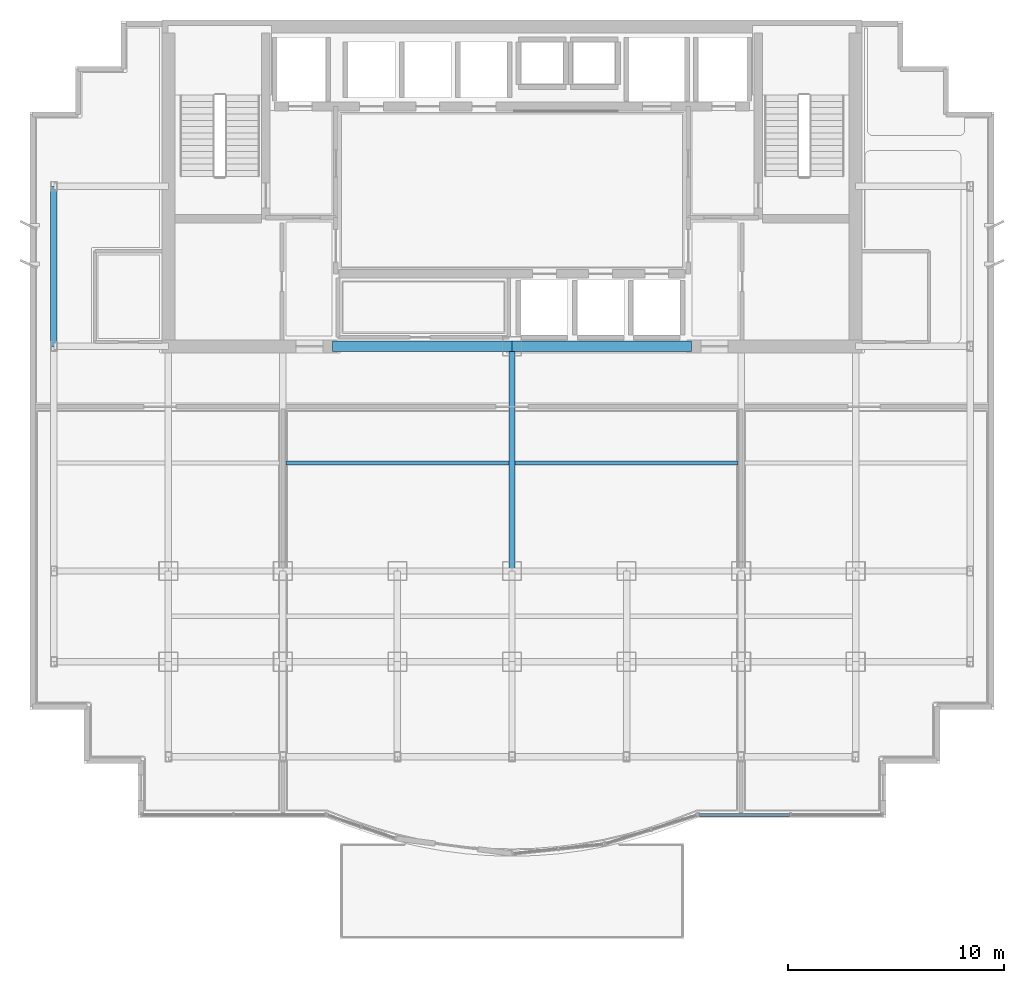
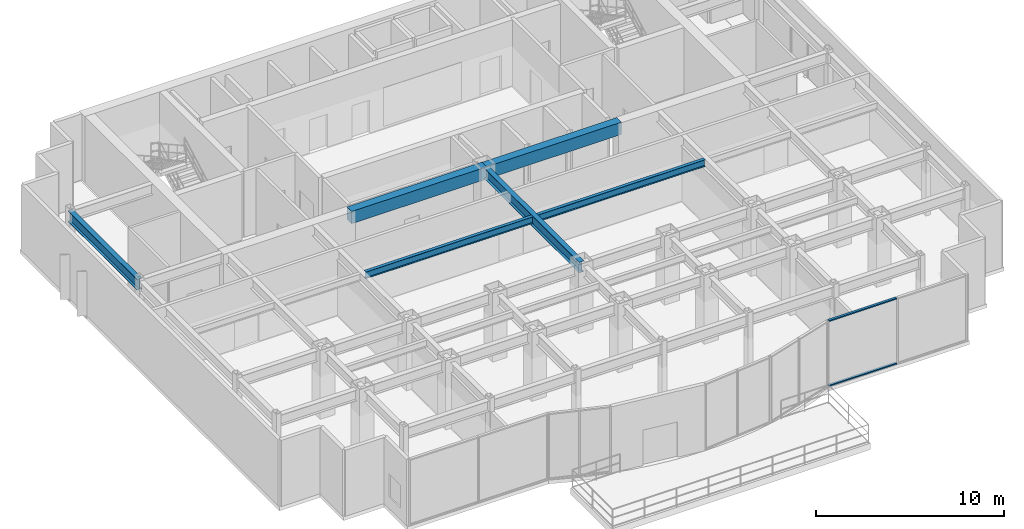
# One storey, part 3 of 9: 6 beams, 2 members, 1 element without a shape of its own.
"""IFC4 building model written with IfcOpenShell, lengths in metres."""

from ifc_helpers import new_model, si_unit, direction, frame, origin, origin_2d, place, context, subcontext, project, spatial, rectangle, i_section, extrude, source, transform, mapped, material, layer, layer_set, material_profile, profile_set, type_object, element, aggregate, save


model = new_model("IFC4")

# Units and contexts
model_context = context("Model", 3, precision=1e-05, world=origin(), true_north=direction((0.0, 1.0)))
body_context = subcontext(model_context, "Body", "Model", "MODEL_VIEW")
ifc_project = project(units=[si_unit("LENGTHUNIT", "METRE"), si_unit("AREAUNIT", "SQUARE_METRE"), si_unit("VOLUMEUNIT", "CUBIC_METRE"), si_unit("PLANEANGLEUNIT", "RADIAN"), si_unit("MASSUNIT", "GRAM", prefix="KILO")], contexts=[model_context])

# Site, building, storey
site_placement = place(None, origin())
site = spatial("IfcSite", under=ifc_project, at=site_placement, CompositionType="ELEMENT")
building_placement = place(site_placement, origin())
building = spatial("IfcBuilding", under=site, at=building_placement, Name="Qianlan Lanfeng Residences", CompositionType="ELEMENT")
storey_placement = place(building_placement, frame((0.0, 0.0, 134.699951171875)))
storey = spatial("IfcBuildingStorey", under=building, at=storey_placement, Name="L36", CompositionType="ELEMENT", Elevation=134.699951171875)

# Beams
ifc_material_1 = material(Name="Steel SN490B", Category="steel")
ifc_material_profile_1 = material_profile(ifc_material_1, i_section(OverallWidth=0.300048828125, OverallDepth=0.699951171875, WebThickness=0.012939453125, FlangeThickness=0.02392578125, at=origin_2d()), Name="H 700x300x13x24")
ifc_profile_set_1 = profile_set([ifc_material_profile_1], Name="Steel SN490B")
beam_type_1 = type_object("IfcBeamType", Name="G-750", PredefinedType="BEAM", material=ifc_profile_set_1)
beam_1_placement = place(storey_placement, frame((26.5, 14.800048828125, 3.949951171875), z_axis=(0.0, 1.0, 0.0), x_axis=(-1.0, 0.0, 0.0)))
element("IfcBeam", 1, at=beam_1_placement, inside=storey, type_object=beam_type_1, Name="Structural beam G-750", PredefinedType="BEAM", context=body_context, shape_type="SweptSolid", body=[
    extrude(i_section(OverallWidth=0.300048828125, OverallDepth=0.699951171875, WebThickness=0.012939453125, FlangeThickness=0.02392578125, at=origin_2d()), origin(), (0.0, 0.0, 1.0), 10.39990234375),
])
ifc_material_profile_2 = material_profile(ifc_material_1, i_section(OverallWidth=0.199951171875, OverallDepth=0.449951171875, WebThickness=0.009033203125, FlangeThickness=0.013916015625, at=origin_2d()), Name="H 450x200x9x14")
ifc_profile_set_2 = profile_set([ifc_material_profile_2], Name="Steel SN490B")
beam_type_2 = type_object("IfcBeamType", Name="J-450", PredefinedType="JOIST", material=ifc_profile_set_2)
for number, where, z_axis, x_axis, name in (
    (2, (16.050048828125, 19.800048828125, 4.074951171875), (1.0, 0.0, 0.0), (0.0, 1.0, 0.0), "Structural beam J-450"),
    (3, (26.64990234375, 19.800048828125, 4.074951171875), (1.0, 0.0, 0.0), (0.0, 1.0, 0.0), "Structural beam J-450"),
):
    element("IfcBeam", number, at=place(storey_placement, frame(where, z_axis=z_axis, x_axis=x_axis)), inside=storey, type_object=beam_type_2, Name=name, PredefinedType="JOIST", context=body_context, shape_type="SweptSolid", body=[
        extrude(i_section(OverallWidth=0.199951171875, OverallDepth=0.449951171875, WebThickness=0.009033203125, FlangeThickness=0.013916015625, at=origin_2d()), origin(), (0.0, 0.0, 1.0), 10.300048828125),
    ])
ifc_material_2 = material(Name="Concrete C49", Category="concrete")
ifc_material_profile_3 = material_profile(ifc_material_2, rectangle(XDim=0.5, YDim=0.800048828125, at=origin_2d()), Name="RC 500x800")
ifc_profile_set_3 = profile_set([ifc_material_profile_3], Name="Concrete C49")
beam_type_3 = type_object("IfcBeamType", Name="LB-RC750", PredefinedType="BEAM", material=ifc_profile_set_3)
for number, where, z_axis, x_axis, name in (
    (4, (18.199951171875, 25.199951171875, 3.900146484375), (1.0, 0.0, 0.0), (0.0, 1.0, 0.0), "L36 Core Coupling Beam W"),
    (5, (26.5, 25.199951171875, 3.900146484375), (1.0, 0.0, 0.0), (0.0, 1.0, 0.0), "L36 Core Coupling Beam E"),
):
    element("IfcBeam", number, at=place(storey_placement, frame(where, z_axis=z_axis, x_axis=x_axis)), inside=storey, type_object=beam_type_3, Name=name, PredefinedType="BEAM", context=body_context, shape_type="SweptSolid", body=[
        extrude(rectangle(XDim=0.5, YDim=0.800048828125, at=origin_2d()), origin(), (0.0, 0.0, 1.0), 8.300048828125),
    ])
ifc_material_profile_4 = material_profile(ifc_material_1, i_section(OverallWidth=0.300048828125, OverallDepth=0.699951171875, WebThickness=0.012939453125, FlangeThickness=0.02392578125, at=origin_2d()), Name="H 700x300x13x24")
ifc_profile_set_4 = profile_set([ifc_material_profile_4], Name="Steel SN490B")
beam_type_4 = type_object("IfcBeamType", Name="SG-750", PredefinedType="SPANDREL", material=ifc_profile_set_4)
beam_2_placement = place(storey_placement, frame((5.300048828125, 25.199951171875, 3.93994140625), z_axis=(0.0, 1.0, 0.0), x_axis=(-1.0, 0.0, 0.0)))
element("IfcBeam", 6, at=beam_2_placement, inside=storey, type_object=beam_type_4, Name="Structural beam SG-750", PredefinedType="SPANDREL", context=body_context, shape_type="SweptSolid", body=[
    extrude(i_section(OverallWidth=0.300048828125, OverallDepth=0.699951171875, WebThickness=0.012939453125, FlangeThickness=0.02392578125, at=origin_2d()), origin(), (0.0, 0.0, 1.0), 7.400146484375),
])

# Curtain wall, members
ifc_material_3 = material(Name="Anodised Bronze Aluminium 6063-T6", Category="aluminium")
ifc_layer = layer(ifc_material_3, 0.219970703125)
ifc_layer_set = layer_set([ifc_layer], Name="Anodised Bronze Aluminium 6063-T6")
curtain_wall_type = type_object("IfcCurtainWallType", Name="CW-04", PredefinedType="NOTDEFINED", material=ifc_layer_set)
curtain_wall_placement = place(storey_placement, origin())
curtain_wall = element("IfcCurtainWall", 7, at=curtain_wall_placement, inside=storey, type_object=curtain_wall_type, Name="L36 Unitised Curtain Wall CWR-L36-05 (CW-04)", PredefinedType="NOTDEFINED")
ifc_material_profile_5 = material_profile(ifc_material_3, rectangle(XDim=0.074951171875, YDim=0.14990234375, at=origin_2d()), Name="ALU TRANSOM 75x150")
ifc_profile_set_5 = profile_set([ifc_material_profile_5], Name="Anodised Bronze Aluminium 6063-T6")
member_type = type_object("IfcMemberType", Name="CWT-150", PredefinedType="USERDEFINED", material=ifc_profile_set_5)
shared_shape = source(origin(), body_context, "Body", "SweptSolid", [
    extrude(rectangle(XDim=0.074951171875, YDim=0.14990234375, at=origin_2d()), origin(), (0.0, 0.0, 1.0), 4.178955078125),
])
member_1_placement = place(storey_placement, frame((35.172119140625, 3.52001953125, 0.03759765625), z_axis=(1.0, 0.0, 0.0), x_axis=(0.0, 0.0, 1.0)))
member_1 = element("IfcMember", 8, at=member_1_placement, type_object=member_type, Name="CWR-L36-05 Transom 1-BOT", ObjectType="TRANSOM", PredefinedType="USERDEFINED", context=body_context, shape_type="MappedRepresentation", body=[
    mapped(shared_shape, transform((0.0, 0.0, 0.0), scale=1.0)),
])
member_2_placement = place(storey_placement, frame((35.172119140625, 3.52001953125, 4.262451171875), z_axis=(1.0, 0.0, 0.0), x_axis=(0.0, 0.0, 1.0)))
member_2 = element("IfcMember", 9, at=member_2_placement, type_object=member_type, Name="CWR-L36-05 Transom 1-TOP", ObjectType="TRANSOM", PredefinedType="USERDEFINED", context=body_context, shape_type="MappedRepresentation", body=[
    mapped(shared_shape, transform((0.0, 0.0, 0.0), scale=1.0)),
])
aggregate(curtain_wall, [member_1, member_2])

save(model, "model.ifc")
